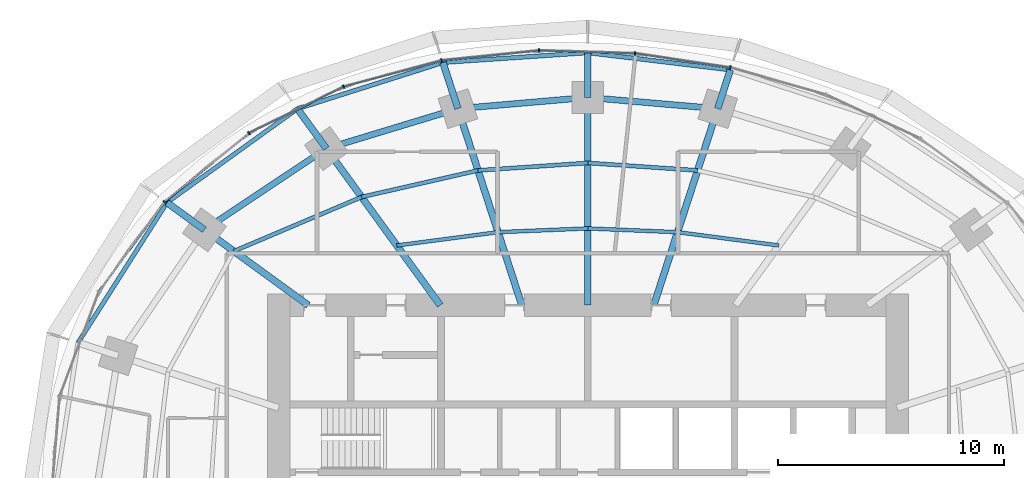
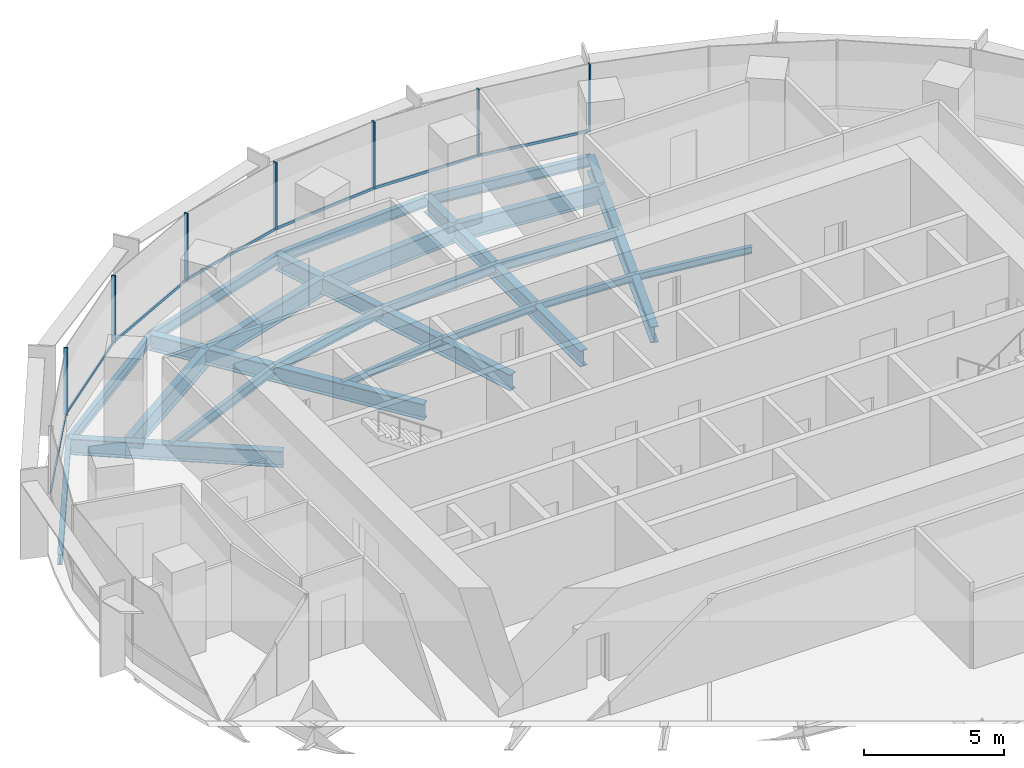
# One storey, part 7 of 14: 27 beams, 14 members, 2 elements without a shape of their own.
"""IFC4 building model written with IfcOpenShell, lengths in metres."""

from ifc_helpers import new_model, si_unit, direction, frame, origin, origin_2d, place, context, subcontext, project, spatial, rectangle, i_section, extrude, material, material_profile, profile_set, type_object, element, aggregate, save


model = new_model("IFC4")

# Units and contexts
model_context = context("Model", 3, precision=1e-05, world=origin(), true_north=direction((0.0, 1.0)))
body_context = subcontext(model_context, "Body", "Model", "MODEL_VIEW")
ifc_project = project(units=[si_unit("LENGTHUNIT", "METRE"), si_unit("AREAUNIT", "SQUARE_METRE"), si_unit("VOLUMEUNIT", "CUBIC_METRE"), si_unit("PLANEANGLEUNIT", "RADIAN"), si_unit("MASSUNIT", "GRAM", prefix="KILO")], contexts=[model_context])

# Site, building, storey
site_placement = place(None, origin())
site = spatial("IfcSite", under=ifc_project, at=site_placement, CompositionType="ELEMENT")
building_placement = place(site_placement, origin())
building = spatial("IfcBuilding", under=site, at=building_placement, Name="Marramba Exchange Tower", CompositionType="ELEMENT")
storey_placement = place(building_placement, frame((0.0, 0.0, 183.800048828125)))
storey = spatial("IfcBuildingStorey", under=building, at=storey_placement, Name="L44", CompositionType="ELEMENT", Elevation=183.800048828125)

# Beams
ifc_material_1 = material(Name="Steel AS/NZS 3679.2 grade 300", Category="steel")
ifc_material_profile_1 = material_profile(ifc_material_1, i_section(OverallWidth=0.300048828125, OverallDepth=0.699951171875, WebThickness=0.010009765625, FlangeThickness=0.031982421875, at=origin_2d()), Name="700WB173")
ifc_profile_set_1 = profile_set([ifc_material_profile_1], Name="Steel AS/NZS 3679.2 grade 300")
beam_type_1 = type_object("IfcBeamType", Name="Cantilever girder 700WB173", PredefinedType="BEAM", material=ifc_profile_set_1)
beam_1_placement = place(storey_placement, frame((5.75390625, 17.70849609375, -0.510009765625), z_axis=(0.308960771946, 0.951074782232, 0.0), x_axis=(-0.951074782232, 0.308960771946, 0.0)))
element("IfcBeam", 1, at=beam_1_placement, inside=storey, type_object=beam_type_1, Name="Cantilever girder L44 TC05", PredefinedType="BEAM", context=body_context, shape_type="SweptSolid", body=[
    extrude(i_section(OverallWidth=0.300048828125, OverallDepth=0.699951171875, WebThickness=0.010009765625, FlangeThickness=0.031982421875, at=origin_2d()), origin(), (0.0, 0.0, 1.0), 1.806396484375),
])
beam_2_placement = place(storey_placement, frame((0.0, 18.2041015625, -0.510009765625), z_axis=(0.0, 1.0, 0.0), x_axis=(-1.0, 0.0, 0.0)))
element("IfcBeam", 2, at=beam_2_placement, inside=storey, type_object=beam_type_1, Name="Cantilever girder L44 TC06", PredefinedType="BEAM", context=body_context, shape_type="SweptSolid", body=[
    extrude(i_section(OverallWidth=0.300048828125, OverallDepth=0.699951171875, WebThickness=0.010009765625, FlangeThickness=0.031982421875, at=origin_2d()), origin(), (0.0, 0.0, 1.0), 1.982177734375),
])
beam_3_placement = place(storey_placement, frame((-5.75390625, 17.70849609375, -0.510009765625), z_axis=(-0.308998798068, 0.951062428441, 0.0), x_axis=(-0.951062428441, -0.308998798068, 0.0)))
element("IfcBeam", 3, at=beam_3_placement, inside=storey, type_object=beam_type_1, Name="Cantilever girder L44 TC07", PredefinedType="BEAM", context=body_context, shape_type="SweptSolid", body=[
    extrude(i_section(OverallWidth=0.300048828125, OverallDepth=0.699951171875, WebThickness=0.010009765625, FlangeThickness=0.031982421875, at=origin_2d()), origin(), (0.0, 0.0, 1.0), 2.150634765625),
])
beam_4_placement = place(storey_placement, frame((-11.581298828125, 15.9404296875, -0.510009765625), z_axis=(-0.587832433352, 0.808982713226, 0.0), x_axis=(-0.808982713226, -0.587832433352, 0.0)))
element("IfcBeam", 4, at=beam_4_placement, inside=storey, type_object=beam_type_1, Name="Cantilever girder L44 TC08", PredefinedType="BEAM", context=body_context, shape_type="SweptSolid", body=[
    extrude(i_section(OverallWidth=0.300048828125, OverallDepth=0.699951171875, WebThickness=0.010009765625, FlangeThickness=0.031982421875, at=origin_2d()), origin(), (0.0, 0.0, 1.0), 2.1826171875),
])
beam_5_placement = place(storey_placement, frame((-16.98583984375, 12.3408203125, -0.510009765625), z_axis=(-0.808962446125, 0.587860324192, 0.0), x_axis=(-0.587860324192, -0.808962446125, 0.0)))
element("IfcBeam", 5, at=beam_5_placement, inside=storey, type_object=beam_type_1, Name="Cantilever girder L44 TC09", PredefinedType="BEAM", context=body_context, shape_type="SweptSolid", body=[
    extrude(i_section(OverallWidth=0.300048828125, OverallDepth=0.699951171875, WebThickness=0.010009765625, FlangeThickness=0.031982421875, at=origin_2d()), origin(), (0.0, 0.0, 1.0), 2.051513671875),
])
ifc_material_2 = material(Name="Steel AS/NZS 3679.1 grade 300", Category="steel")
ifc_material_profile_2 = material_profile(ifc_material_2, i_section(OverallWidth=0.166015625, OverallDepth=0.306884765625, WebThickness=0.006591796875, FlangeThickness=0.01171875, FilletRadius=0.011474609375, at=origin_2d()), Name="310UB46.2")
ifc_profile_set_2 = profile_set([ifc_material_profile_2], Name="Steel AS/NZS 3679.1 grade 300")
beam_type_2 = type_object("IfcBeamType", Name="Floor joist 310UB46.2", PredefinedType="JOIST", material=ifc_profile_set_2)
beam_6_placement = place(storey_placement, frame((8.4619140625, 11.646728515625, -0.3134765625), z_axis=(-0.991480538255, 0.130254912618, 0.0), x_axis=(-0.130254912618, -0.991480538255, 0.0)))
element("IfcBeam", 6, at=beam_6_placement, inside=storey, type_object=beam_type_2, Name="Joist L44 bay 04 row 1", PredefinedType="JOIST", context=body_context, shape_type="SweptSolid", body=[
    extrude(i_section(OverallWidth=0.166015625, OverallDepth=0.306884765625, WebThickness=0.006591796875, FlangeThickness=0.01171875, FilletRadius=0.011474609375, at=origin_2d()), origin(), (0.0, 0.0, 1.0), 4.524658203125),
])
for number, where, z_axis, x_axis, name in (
    (7, (3.975830078125, 12.236083984375, -0.3134765625), (-0.999137002892, 0.041536122257, 0.0), (-0.041536122257, -0.999137002892, 0.0), "Joist L44 bay 05 row 1"),
    (8, (0.0, 12.4013671875, -0.3134765625), (-0.999137002892, -0.041536122257, 0.0), (0.041536122257, -0.999137002892, 0.0), "Joist L44 bay 06 row 1"),
):
    element("IfcBeam", number, at=place(storey_placement, frame(where, z_axis=z_axis, x_axis=x_axis)), inside=storey, type_object=beam_type_2, Name=name, PredefinedType="JOIST", context=body_context, shape_type="SweptSolid", body=[
        extrude(i_section(OverallWidth=0.166015625, OverallDepth=0.306884765625, WebThickness=0.006591796875, FlangeThickness=0.01171875, FilletRadius=0.011474609375, at=origin_2d()), origin(), (0.0, 0.0, 1.0), 3.979248046875),
    ])
beam_7_placement = place(storey_placement, frame((-3.975830078125, 12.236083984375, -0.3134765625), z_axis=(-0.991480538255, -0.130254912618, 0.0), x_axis=(0.130254912618, -0.991480538255, 0.0)))
element("IfcBeam", 9, at=beam_7_placement, inside=storey, type_object=beam_type_2, Name="Joist L44 bay 07 row 1", PredefinedType="JOIST", context=body_context, shape_type="SweptSolid", body=[
    extrude(i_section(OverallWidth=0.166015625, OverallDepth=0.306884765625, WebThickness=0.006591796875, FlangeThickness=0.01171875, FilletRadius=0.011474609375, at=origin_2d()), origin(), (0.0, 0.0, 1.0), 4.524658203125),
])
ifc_material_profile_3 = material_profile(ifc_material_2, i_section(OverallWidth=0.177978515625, OverallDepth=0.406005859375, WebThickness=0.0078125, FlangeThickness=0.0126953125, FilletRadius=0.011474609375, at=origin_2d()), Name="410UB59.7")
ifc_profile_set_3 = profile_set([ifc_material_profile_3], Name="Steel AS/NZS 3679.1 grade 300")
beam_type_3 = type_object("IfcBeamType", Name="Floor joist 410UB59.7", PredefinedType="JOIST", material=ifc_profile_set_3)
for number, where, z_axis, x_axis, name in (
    (10, (4.86474609375, 14.972412109375, -0.363037109375), (-0.997702652202, 0.067745241816, 0.0), (-0.067745241816, -0.997702652202, 0.0), "Joist L44 bay 05 row 2"),
    (11, (0.0, 15.302734375, -0.363037109375), (-0.997702652202, -0.067745241816, 0.0), (0.067745241816, -0.997702652202, 0.0), "Joist L44 bay 06 row 2"),
):
    element("IfcBeam", number, at=place(storey_placement, frame(where, z_axis=z_axis, x_axis=x_axis)), inside=storey, type_object=beam_type_3, Name=name, PredefinedType="JOIST", context=body_context, shape_type="SweptSolid", body=[
        extrude(i_section(OverallWidth=0.177978515625, OverallDepth=0.406005859375, WebThickness=0.0078125, FlangeThickness=0.0126953125, FilletRadius=0.011474609375, at=origin_2d()), origin(), (0.0, 0.0, 1.0), 4.8759765625),
    ])
beam_8_placement = place(storey_placement, frame((-4.86474609375, 14.972412109375, -0.363037109375), z_axis=(-0.974859652292, -0.222819788916, 0.0), x_axis=(0.222819788916, -0.974859652292, 0.0)))
element("IfcBeam", 12, at=beam_8_placement, inside=storey, type_object=beam_type_3, Name="Joist L44 bay 07 row 2", PredefinedType="JOIST", context=body_context, shape_type="SweptSolid", body=[
    extrude(i_section(OverallWidth=0.177978515625, OverallDepth=0.406005859375, WebThickness=0.0078125, FlangeThickness=0.0126953125, FilletRadius=0.011474609375, at=origin_2d()), origin(), (0.0, 0.0, 1.0), 5.2900390625),
])
beam_9_placement = place(storey_placement, frame((-10.021728515625, 13.793701171875, -0.363037109375), z_axis=(-0.920674336375, -0.390331610738, 0.0), x_axis=(0.390331610738, -0.920674336375, 0.0)))
element("IfcBeam", 13, at=beam_9_placement, inside=storey, type_object=beam_type_3, Name="Joist L44 bay 08 row 2", PredefinedType="JOIST", context=body_context, shape_type="SweptSolid", body=[
    extrude(i_section(OverallWidth=0.177978515625, OverallDepth=0.406005859375, WebThickness=0.0078125, FlangeThickness=0.0126953125, FilletRadius=0.011474609375, at=origin_2d()), origin(), (0.0, 0.0, 1.0), 6.1484375),
])

# Curtain wall, members
ifc_material_3 = material(Name="Aluminium framing, bronze anodised", Category="aluminium")
curtain_wall_type = type_object("IfcCurtainWallType", Name="Office ribbon curtain wall", PredefinedType="USERDEFINED", material=ifc_material_3)
curtain_wall_1_placement = place(storey_placement, origin())
curtain_wall_1 = element("IfcCurtainWall", 14, at=curtain_wall_1_placement, inside=storey, type_object=curtain_wall_type, Name="Curtain wall CW4 L44 F06-F10", ObjectType="RIBBON CURTAIN WALL", PredefinedType="USERDEFINED")
ifc_material_4 = material(Name="Aluminium mullion, bronze anodised", Category="aluminium")
ifc_material_profile_4 = material_profile(ifc_material_4, rectangle(XDim=0.159912109375, YDim=0.06005859375, at=origin_2d()), Name="CW4 mullion 60x160")
ifc_profile_set_4 = profile_set([ifc_material_profile_4], Name="Aluminium mullion, bronze anodised")
member_type_1 = type_object("IfcMemberType", Name="Office ribbon curtain wall mullion", PredefinedType="MULLION", material=ifc_profile_set_4)
member_1_placement = place(storey_placement, frame((6.313232421875, 19.526123046875, 0.800048828125), z_axis=(0.0, 0.0, 1.0), x_axis=(-0.148794988635, -0.988868065698, 0.0)))
member_1 = element("IfcMember", 15, at=member_1_placement, type_object=member_type_1, Name="CW4 mullion 1", PredefinedType="MULLION", context=body_context, shape_type="SweptSolid", body=[
    extrude(rectangle(XDim=0.159912109375, YDim=0.06005859375, at=origin_2d()), origin(), (0.0, 0.0, 1.0), 2.93994140625),
])
member_2_placement = place(storey_placement, frame((2.088623046875, 20.158203125, 0.800048828125), z_axis=(0.0, 0.0, 1.0), x_axis=(-0.03039385249, -0.999538000143, 0.0)))
member_2 = element("IfcMember", 16, at=member_2_placement, type_object=member_type_1, Name="CW4 mullion 1", PredefinedType="MULLION", context=body_context, shape_type="SweptSolid", body=[
    extrude(rectangle(XDim=0.159912109375, YDim=0.06005859375, at=origin_2d()), origin(), (0.0, 0.0, 1.0), 2.93994140625),
])
member_3_placement = place(storey_placement, frame((-2.162109375, 20.28369140625, 0.800048828125), z_axis=(0.0, 0.0, 1.0), x_axis=(0.100862673507, -0.994900357369, 0.0)))
member_3 = element("IfcMember", 17, at=member_3_placement, type_object=member_type_1, Name="CW4 mullion 1", PredefinedType="MULLION", context=body_context, shape_type="SweptSolid", body=[
    extrude(rectangle(XDim=0.159912109375, YDim=0.06005859375, at=origin_2d()), origin(), (0.0, 0.0, 1.0), 2.93994140625),
])
member_4_placement = place(storey_placement, frame((-6.478271484375, 19.84130859375, 0.800048828125), z_axis=(0.0, 0.0, 1.0), x_axis=(0.257641223778, -0.966240653155, 0.0)))
member_4 = element("IfcMember", 18, at=member_4_placement, type_object=member_type_1, Name="CW4 mullion 1", PredefinedType="MULLION", context=body_context, shape_type="SweptSolid", body=[
    extrude(rectangle(XDim=0.159912109375, YDim=0.06005859375, at=origin_2d()), origin(), (0.0, 0.0, 1.0), 2.93994140625),
])

curtain_wall_2_placement = place(storey_placement, origin())
curtain_wall_2 = element("IfcCurtainWall", 19, at=curtain_wall_2_placement, inside=storey, type_object=curtain_wall_type, Name="Curtain wall CW4 L44 F11-F15", ObjectType="RIBBON CURTAIN WALL", PredefinedType="USERDEFINED")
member_5_placement = place(storey_placement, frame((-10.818359375, 18.677978515625, 0.800048828125), z_axis=(0.0, 0.0, 1.0), x_axis=(0.438972456661, -0.898500518805, 0.0)))
member_5 = element("IfcMember", 20, at=member_5_placement, type_object=member_type_1, Name="CW4 mullion 1", PredefinedType="MULLION", context=body_context, shape_type="SweptSolid", body=[
    extrude(rectangle(XDim=0.159912109375, YDim=0.06005859375, at=origin_2d()), origin(), (0.0, 0.0, 1.0), 2.93994140625),
])
member_6_placement = place(storey_placement, frame((-15.008056640625, 16.62353515625, 0.800048828125), z_axis=(0.0, 0.0, 1.0), x_axis=(0.630200830464, -0.776432169145, 0.0)))
member_6 = element("IfcMember", 21, at=member_6_placement, type_object=member_type_1, Name="CW4 mullion 1", PredefinedType="MULLION", context=body_context, shape_type="SweptSolid", body=[
    extrude(rectangle(XDim=0.159912109375, YDim=0.06005859375, at=origin_2d()), origin(), (0.0, 0.0, 1.0), 2.93994140625),
])
member_7_placement = place(storey_placement, frame((-18.744140625, 13.581298828125, 0.800048828125), z_axis=(0.0, 0.0, 1.0), x_axis=(0.805965197024, -0.591962922138, 0.0)))
member_7 = element("IfcMember", 22, at=member_7_placement, type_object=member_type_1, Name="CW4 mullion 1", PredefinedType="MULLION", context=body_context, shape_type="SweptSolid", body=[
    extrude(rectangle(XDim=0.159912109375, YDim=0.06005859375, at=origin_2d()), origin(), (0.0, 0.0, 1.0), 2.93994140625),
])

# Member
ifc_material_5 = material(Name="Aluminium transom, bronze anodised", Category="aluminium")
ifc_material_profile_5 = material_profile(ifc_material_5, rectangle(XDim=0.06005859375, YDim=0.1201171875, at=origin_2d()), Name="CW4 transom 60x120")
ifc_profile_set_5 = profile_set([ifc_material_profile_5], Name="Aluminium transom, bronze anodised")
member_type_2 = type_object("IfcMemberType", Name="Office ribbon curtain wall transom", PredefinedType="USERDEFINED", material=ifc_profile_set_5)
member_8_placement = place(storey_placement, frame((6.28369140625, 19.53076171875, 0.829833984375), z_axis=(-0.988868222508, 0.148793946493, 0.0), x_axis=(-0.148793946493, -0.988868222508, 0.0)))
member_8 = element("IfcMember", 23, at=member_8_placement, type_object=member_type_2, Name="CW4 sill transom", ObjectType="TRANSOM", PredefinedType="USERDEFINED", context=body_context, shape_type="SweptSolid", body=[
    extrude(rectangle(XDim=0.06005859375, YDim=0.1201171875, at=origin_2d()), origin(), (0.0, 0.0, 1.0), 4.2119140625),
])

member_9_placement = place(storey_placement, frame((2.05859375, 20.1591796875, 0.829833984375), z_axis=(-0.99953796835, 0.030394898024, 0.0), x_axis=(-0.030394898024, -0.99953796835, 0.0)))
member_9 = element("IfcMember", 24, at=member_9_placement, type_object=member_type_2, Name="CW4 sill transom", ObjectType="TRANSOM", PredefinedType="USERDEFINED", context=body_context, shape_type="SweptSolid", body=[
    extrude(rectangle(XDim=0.06005859375, YDim=0.1201171875, at=origin_2d()), origin(), (0.0, 0.0, 1.0), 4.19287109375),
])

member_10_placement = place(storey_placement, frame((-2.19189453125, 20.280517578125, 0.829833984375), z_axis=(-0.99489954864, -0.100870650418, 0.0), x_axis=(0.100870650418, -0.99489954864, 0.0)))
member_10 = element("IfcMember", 25, at=member_10_placement, type_object=member_type_2, Name="CW4 sill transom", ObjectType="TRANSOM", PredefinedType="USERDEFINED", context=body_context, shape_type="SweptSolid", body=[
    extrude(rectangle(XDim=0.06005859375, YDim=0.1201171875, at=origin_2d()), origin(), (0.0, 0.0, 1.0), 4.279052734375),
])

member_11_placement = place(storey_placement, frame((-6.50732421875, 19.83349609375, 0.829833984375), z_axis=(-0.966237681407, -0.25765236857, 0.0), x_axis=(0.25765236857, -0.966237681407, 0.0)))
member_11 = element("IfcMember", 26, at=member_11_placement, type_object=member_type_2, Name="CW4 sill transom", ObjectType="TRANSOM", PredefinedType="USERDEFINED", context=body_context, shape_type="SweptSolid", body=[
    extrude(rectangle(XDim=0.06005859375, YDim=0.1201171875, at=origin_2d()), origin(), (0.0, 0.0, 1.0), 4.43359375),
])

aggregate(curtain_wall_1, [member_1, member_8, member_2, member_9, member_3, member_10, member_4, member_11])

member_12_placement = place(storey_placement, frame((-10.84521484375, 18.664794921875, 0.829833984375), z_axis=(-0.898501418486, -0.438970615165, 0.0), x_axis=(0.438970615165, -0.898501418486, 0.0)))
member_12 = element("IfcMember", 27, at=member_12_placement, type_object=member_type_2, Name="CW4 sill transom", ObjectType="TRANSOM", PredefinedType="USERDEFINED", context=body_context, shape_type="SweptSolid", body=[
    extrude(rectangle(XDim=0.06005859375, YDim=0.1201171875, at=origin_2d()), origin(), (0.0, 0.0, 1.0), 4.607177734375),
])

member_13_placement = place(storey_placement, frame((-15.031494140625, 16.6044921875, 0.829833984375), z_axis=(-0.776424623019, -0.630210127473, 0.0), x_axis=(0.630210127473, -0.776424623019, 0.0)))
member_13 = element("IfcMember", 28, at=member_13_placement, type_object=member_type_2, Name="CW4 sill transom", ObjectType="TRANSOM", PredefinedType="USERDEFINED", context=body_context, shape_type="SweptSolid", body=[
    extrude(rectangle(XDim=0.06005859375, YDim=0.1201171875, at=origin_2d()), origin(), (0.0, 0.0, 1.0), 4.7587890625),
])

member_14_placement = place(storey_placement, frame((-18.761962890625, 13.55712890625, 0.829833984375), z_axis=(-0.591957380483, -0.805969267213, 0.0), x_axis=(0.805969267213, -0.591957380483, 0.0)))
member_14 = element("IfcMember", 29, at=member_14_placement, type_object=member_type_2, Name="CW4 sill transom", ObjectType="TRANSOM", PredefinedType="USERDEFINED", context=body_context, shape_type="SweptSolid", body=[
    extrude(rectangle(XDim=0.06005859375, YDim=0.1201171875, at=origin_2d()), origin(), (0.0, 0.0, 1.0), 4.865478515625),
])

aggregate(curtain_wall_2, [member_5, member_12, member_6, member_13, member_7, member_14])

# Beams
ifc_material_profile_6 = material_profile(ifc_material_1, i_section(OverallWidth=0.300048828125, OverallDepth=0.699951171875, WebThickness=0.010009765625, FlangeThickness=0.031982421875, at=origin_2d()), Name="700WB173")
ifc_profile_set_6 = profile_set([ifc_material_profile_6], Name="Steel AS/NZS 3679.2 grade 300")
beam_type_4 = type_object("IfcBeamType", Name="Radial girder 700WB173", PredefinedType="BEAM", material=ifc_profile_set_6)
beam_10_placement = place(storey_placement, frame((2.92431640625, 9.0, -0.510009765625), z_axis=(0.309019754162, 0.951055619582, 0.0), x_axis=(-0.951055619582, 0.309019754162, 0.0)))
element("IfcBeam", 30, at=beam_10_placement, inside=storey, type_object=beam_type_4, Name="Radial girder L44 TC05", PredefinedType="BEAM", context=body_context, shape_type="SweptSolid", body=[
    extrude(i_section(OverallWidth=0.300048828125, OverallDepth=0.699951171875, WebThickness=0.010009765625, FlangeThickness=0.031982421875, at=origin_2d()), origin(), (0.0, 0.0, 1.0), 9.15673828125),
])
beam_11_placement = place(storey_placement, frame((0.0, 9.0, -0.510009765625), z_axis=(0.0, 1.0, 0.0), x_axis=(-1.0, 0.0, 0.0)))
element("IfcBeam", 31, at=beam_11_placement, inside=storey, type_object=beam_type_4, Name="Radial girder L44 TC06", PredefinedType="BEAM", context=body_context, shape_type="SweptSolid", body=[
    extrude(i_section(OverallWidth=0.300048828125, OverallDepth=0.699951171875, WebThickness=0.010009765625, FlangeThickness=0.031982421875, at=origin_2d()), origin(), (0.0, 0.0, 1.0), 9.2041015625),
])
beam_12_placement = place(storey_placement, frame((-2.92431640625, 9.0, -0.510009765625), z_axis=(-0.309019754162, 0.951055619582, 0.0), x_axis=(-0.951055619582, -0.309019754162, 0.0)))
element("IfcBeam", 32, at=beam_12_placement, inside=storey, type_object=beam_type_4, Name="Radial girder L44 TC07", PredefinedType="BEAM", context=body_context, shape_type="SweptSolid", body=[
    extrude(i_section(OverallWidth=0.300048828125, OverallDepth=0.699951171875, WebThickness=0.010009765625, FlangeThickness=0.031982421875, at=origin_2d()), origin(), (0.0, 0.0, 1.0), 9.15673828125),
])
beam_13_placement = place(storey_placement, frame((-6.538818359375, 9.0, -0.510009765625), z_axis=(-0.587782439969, 0.80901903764, 0.0), x_axis=(-0.80901903764, -0.587782439969, 0.0)))
element("IfcBeam", 33, at=beam_13_placement, inside=storey, type_object=beam_type_4, Name="Radial girder L44 TC08", PredefinedType="BEAM", context=body_context, shape_type="SweptSolid", body=[
    extrude(i_section(OverallWidth=0.300048828125, OverallDepth=0.699951171875, WebThickness=0.010009765625, FlangeThickness=0.031982421875, at=origin_2d()), origin(), (0.0, 0.0, 1.0), 8.578857421875),
])
beam_14_placement = place(storey_placement, frame((-12.387451171875, 9.0, -0.510009765625), z_axis=(-0.809025746925, 0.587773205252, 0.0), x_axis=(-0.587773205252, -0.809025746925, 0.0)))
element("IfcBeam", 34, at=beam_14_placement, inside=storey, type_object=beam_type_4, Name="Radial girder L44 TC09", PredefinedType="BEAM", context=body_context, shape_type="SweptSolid", body=[
    extrude(i_section(OverallWidth=0.300048828125, OverallDepth=0.699951171875, WebThickness=0.010009765625, FlangeThickness=0.031982421875, at=origin_2d()), origin(), (0.0, 0.0, 1.0), 5.683837890625),
])
ifc_material_profile_7 = material_profile(ifc_material_1, i_section(OverallWidth=0.27490234375, OverallDepth=0.800048828125, WebThickness=0.010009765625, FlangeThickness=0.02490234375, at=origin_2d()), Name="800WB168")
ifc_profile_set_7 = profile_set([ifc_material_profile_7], Name="Steel AS/NZS 3679.2 grade 300")
beam_type_5 = type_object("IfcBeamType", Name="Ring beam 800WB168", PredefinedType="SPANDREL", material=ifc_profile_set_7)
for number, where, z_axis, x_axis, name in (
    (35, (5.75390625, 17.70849609375, -0.56005859375), (-0.996311003275, 0.085815993578, 0.0), (-0.085815993578, -0.996311003275, 0.0), "Ring beam L44 TC05-TC06"),
    (36, (0.0, 18.2041015625, -0.56005859375), (-0.996311003275, -0.085815993578, 0.0), (0.085815993578, -0.996311003275, 0.0), "Ring beam L44 TC06-TC07"),
):
    element("IfcBeam", number, at=place(storey_placement, frame(where, z_axis=z_axis, x_axis=x_axis)), inside=storey, type_object=beam_type_5, Name=name, PredefinedType="SPANDREL", context=body_context, shape_type="SweptSolid", body=[
        extrude(i_section(OverallWidth=0.27490234375, OverallDepth=0.800048828125, WebThickness=0.010009765625, FlangeThickness=0.02490234375, at=origin_2d()), origin(), (0.0, 0.0, 1.0), 5.775146484375),
    ])
beam_15_placement = place(storey_placement, frame((-5.75390625, 17.70849609375, -0.56005859375), z_axis=(-0.956924542524, -0.290336735387, 0.0), x_axis=(0.290336735387, -0.956924542524, 0.0)))
element("IfcBeam", 37, at=beam_15_placement, inside=storey, type_object=beam_type_5, Name="Ring beam L44 TC07-TC08", PredefinedType="SPANDREL", context=body_context, shape_type="SweptSolid", body=[
    extrude(i_section(OverallWidth=0.27490234375, OverallDepth=0.800048828125, WebThickness=0.010009765625, FlangeThickness=0.02490234375, at=origin_2d()), origin(), (0.0, 0.0, 1.0), 6.089599609375),
])
beam_16_placement = place(storey_placement, frame((-11.581298828125, 15.9404296875, -0.56005859375), z_axis=(-0.832293151443, -0.554335737673, 0.0), x_axis=(0.554335737673, -0.832293151443, 0.0)))
element("IfcBeam", 38, at=beam_16_placement, inside=storey, type_object=beam_type_5, Name="Ring beam L44 TC08-TC09", PredefinedType="SPANDREL", context=body_context, shape_type="SweptSolid", body=[
    extrude(i_section(OverallWidth=0.27490234375, OverallDepth=0.800048828125, WebThickness=0.010009765625, FlangeThickness=0.02490234375, at=origin_2d()), origin(), (0.0, 0.0, 1.0), 6.49365234375),
])
ifc_material_profile_8 = material_profile(ifc_material_2, i_section(OverallWidth=0.19091796875, OverallDepth=0.4599609375, WebThickness=0.010009765625, FlangeThickness=0.01611328125, FilletRadius=0.011474609375, at=origin_2d()), Name="460UB82.1")
ifc_profile_set_8 = profile_set([ifc_material_profile_8], Name="Steel AS/NZS 3679.1 grade 300")
beam_type_6 = type_object("IfcBeamType", Name="Slab edge beam 460UB82.1", PredefinedType="SPANDREL", material=ifc_profile_set_8)
beam_17_placement = place(storey_placement, frame((6.31201171875, 19.426513671875, -0.39013671875), z_axis=(-0.992833525914, 0.119505605811, 0.0), x_axis=(-0.119505605811, -0.992833525914, 0.0)))
element("IfcBeam", 39, at=beam_17_placement, inside=storey, type_object=beam_type_6, Name="Slab edge beam L44 TC05-TC06", PredefinedType="SPANDREL", context=body_context, shape_type="SweptSolid", body=[
    extrude(i_section(OverallWidth=0.19091796875, OverallDepth=0.4599609375, WebThickness=0.010009765625, FlangeThickness=0.01611328125, FilletRadius=0.011474609375, at=origin_2d()), origin(), (0.0, 0.0, 1.0), 6.357666015625),
])
beam_18_placement = place(storey_placement, frame((0.0, 20.186279296875, -0.39013671875), z_axis=(-0.997738737775, -0.06721168903, 0.0), x_axis=(0.06721168903, -0.997738737775, 0.0)))
element("IfcBeam", 40, at=beam_18_placement, inside=storey, type_object=beam_type_6, Name="Slab edge beam L44 TC06-TC07", PredefinedType="SPANDREL", context=body_context, shape_type="SweptSolid", body=[
    extrude(i_section(OverallWidth=0.19091796875, OverallDepth=0.4599609375, WebThickness=0.010009765625, FlangeThickness=0.01611328125, FilletRadius=0.011474609375, at=origin_2d()), origin(), (0.0, 0.0, 1.0), 6.43310546875),
])
beam_19_placement = place(storey_placement, frame((-6.41845703125, 19.75390625, -0.39013671875), z_axis=(-0.953057484675, -0.302789416766, 0.0), x_axis=(0.302789416766, -0.953057484675, 0.0)))
element("IfcBeam", 41, at=beam_19_placement, inside=storey, type_object=beam_type_6, Name="Slab edge beam L44 TC07-TC08", PredefinedType="SPANDREL", context=body_context, shape_type="SweptSolid", body=[
    extrude(i_section(OverallWidth=0.19091796875, OverallDepth=0.4599609375, WebThickness=0.010009765625, FlangeThickness=0.01611328125, FilletRadius=0.011474609375, at=origin_2d()), origin(), (0.0, 0.0, 1.0), 6.76318359375),
])
beam_20_placement = place(storey_placement, frame((-12.8642578125, 17.7060546875, -0.39013671875), z_axis=(-0.811755352788, -0.583997643163, 0.0), x_axis=(0.583997643163, -0.811755352788, 0.0)))
element("IfcBeam", 42, at=beam_20_placement, inside=storey, type_object=beam_type_6, Name="Slab edge beam L44 TC08-TC09", PredefinedType="SPANDREL", context=body_context, shape_type="SweptSolid", body=[
    extrude(i_section(OverallWidth=0.19091796875, OverallDepth=0.4599609375, WebThickness=0.010009765625, FlangeThickness=0.01611328125, FilletRadius=0.011474609375, at=origin_2d()), origin(), (0.0, 0.0, 1.0), 7.121826171875),
])
beam_21_placement = place(storey_placement, frame((-18.6455078125, 13.546875, -0.39013671875), z_axis=(-0.535794396634, -0.844348485245, 0.0), x_axis=(0.844348485245, -0.535794396634, 0.0)))
element("IfcBeam", 43, at=beam_21_placement, inside=storey, type_object=beam_type_6, Name="Slab edge beam L44 TC09-TC10", PredefinedType="SPANDREL", context=body_context, shape_type="SweptSolid", body=[
    extrude(i_section(OverallWidth=0.19091796875, OverallDepth=0.4599609375, WebThickness=0.010009765625, FlangeThickness=0.01611328125, FilletRadius=0.011474609375, at=origin_2d()), origin(), (0.0, 0.0, 1.0), 7.35302734375),
])

save(model, "model.ifc")
